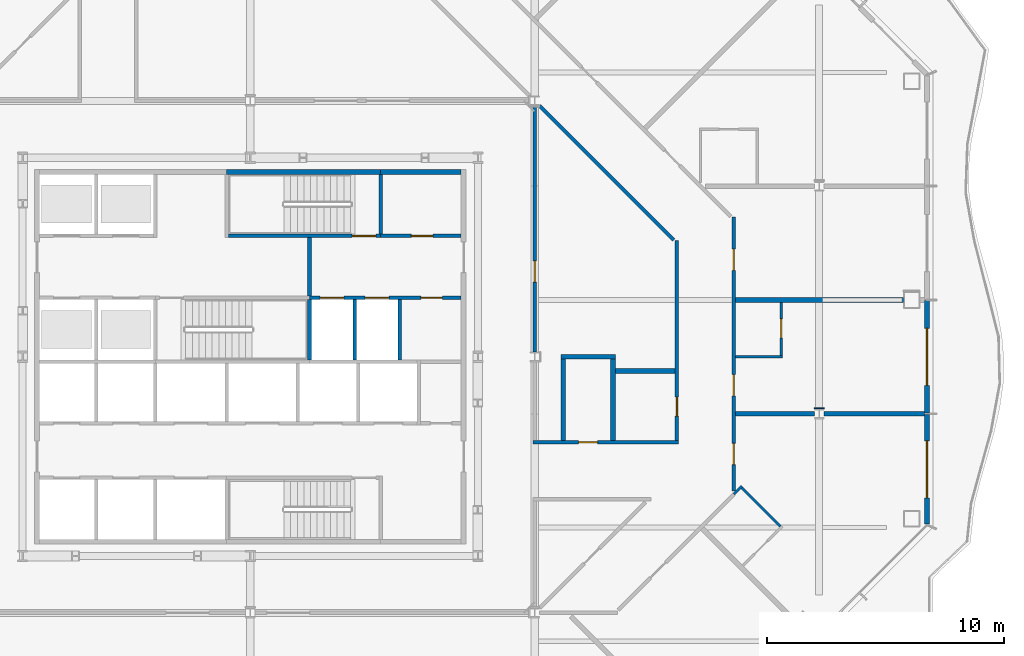
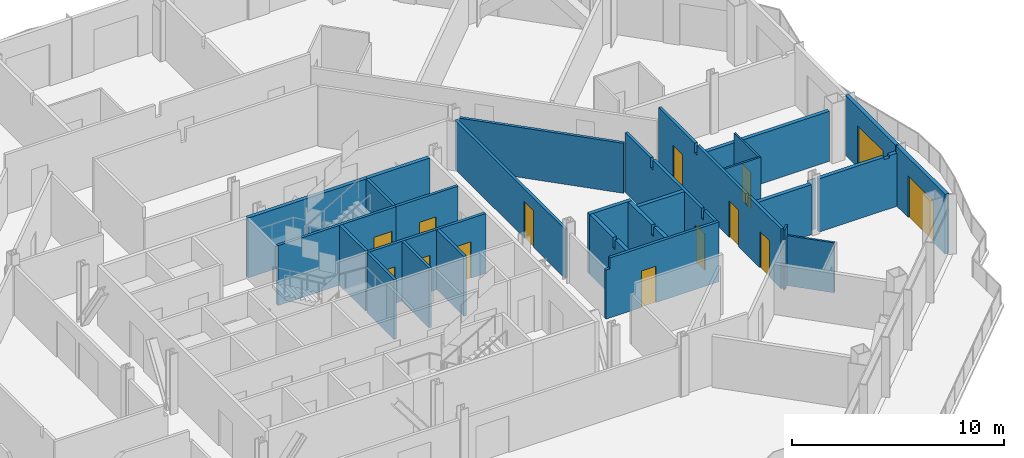
# One storey, part 12 of 24: 29 walls, 14 doors, 14 openings.
"""IFC4 building model written with IfcOpenShell, lengths in metres."""

from ifc_helpers import new_model, si_unit, direction, frame, frame_2d, origin, place, context, subcontext, project, spatial, polyline, rectangle, outline, extrude, material, layer, layer_set, type_object, element, fill, save


model = new_model("IFC4")

# Units and contexts
model_context = context("Model", 3, precision=1e-05, world=origin(), true_north=direction((0.0, 1.0)))
body_context = subcontext(model_context, "Body", "Model", "MODEL_VIEW")
ifc_project = project(units=[si_unit("LENGTHUNIT", "METRE"), si_unit("AREAUNIT", "SQUARE_METRE"), si_unit("VOLUMEUNIT", "CUBIC_METRE"), si_unit("PLANEANGLEUNIT", "RADIAN"), si_unit("MASSUNIT", "GRAM", prefix="KILO")], contexts=[model_context])

# Site, building, storey
site_placement = place(None, origin())
site = spatial("IfcSite", under=ifc_project, at=site_placement, CompositionType="ELEMENT")
building_placement = place(site_placement, origin())
building = spatial("IfcBuilding", under=site, at=building_placement, Name="Cairn Pilgrim Tower", CompositionType="ELEMENT")
storey_placement = place(building_placement, frame((0.0, 0.0, 125.39990234375)))
storey = spatial("IfcBuildingStorey", under=building, at=storey_placement, Name="L30", CompositionType="ELEMENT", Elevation=125.39990234375)

# Wall, opening, door
ifc_material_1 = material(Name="Bronze anodised aluminium insulated sandwich panel with mineral wool fill", Category="aluminium")
ifc_layer_1 = layer(ifc_material_1, 0.199951171875)
ifc_layer_set_1 = layer_set([ifc_layer_1], Name="BRONZE INFILL FRAME WALL 200")
wall_type_1 = type_object("IfcWallType", Name="BRONZE INFILL FRAME WALL 200", PredefinedType="NOTDEFINED", material=ifc_layer_set_1)
wall_1_placement = place(storey_placement, frame((35.75, -4.656494140625, 0.0), z_axis=(0.0, 0.0, 1.0), x_axis=(0.0, 1.0, 0.0)))
wall_1 = element("IfcWall", 1, at=wall_1_placement, inside=storey, type_object=wall_type_1, Name="Bronze infill frame wall IW-E1", PredefinedType="NOTDEFINED", context=body_context, shape_type="SweptSolid", body=[
    extrude(rectangle(XDim=4.62646484375, YDim=0.199951171875, at=frame_2d((2.313232421875, 0.0))), origin(), (0.0, 0.0, 1.0), 3.4501953125),
])
opening_1_placement = place(wall_1_placement, frame((1.1083984375, 0.0, 0.0)))
opening_1 = element("IfcOpeningElement", 2, at=opening_1_placement, cuts=wall_1, Name="Opening 3003B", PredefinedType="OPENING", context=body_context, shape_type="SweptSolid", body=[
    extrude(rectangle(XDim=2.39990234375, YDim=2.39990234375, at=frame_2d((1.199951171875, 1.199951171875))), frame((0.0, 0.10986328125, 0.0), z_axis=(0.0, -1.0, 0.0), x_axis=(1.0, 0.0, 0.0)), (0.0, 0.0, 1.0), 0.219970703125),
])
ifc_material_2 = material(Name="Bronze anodised aluminium frame with tinted low-E glass", Category="aluminium")
door_type_1 = type_object("IfcDoorType", Name="BALCONY SLIDING DOOR 2400x2400", OperationType="DOUBLE_DOOR_SLIDING", PredefinedType="DOOR", material=ifc_material_2)
door_1_placement = place(opening_1_placement, origin())
door_1 = element("IfcDoor", 3, at=door_1_placement, inside=storey, type_object=door_type_1, Name="Balcony sliding door 3003B", OperationType="SINGLE_SWING_LEFT", OverallHeight=2.39990234375, OverallWidth=2.39990234375, PredefinedType="DOOR", context=body_context, shape_type="SweptSolid", body=[
    extrude(rectangle(XDim=2.39990234375, YDim=2.39990234375, at=frame_2d((1.199951171875, 1.199951171875))), frame((0.0, 0.02490234375, 0.0), z_axis=(0.0, -1.0, 0.0), x_axis=(1.0, 0.0, 0.0)), (0.0, 0.0, 1.0), 0.050048828125),
])
fill(opening_1, door_1)

wall_2_placement = place(storey_placement, frame((35.75, 0.030029296875, 0.0), z_axis=(0.0, 0.0, 1.0), x_axis=(0.0, 1.0, 0.0)))
wall_2 = element("IfcWall", 4, at=wall_2_placement, inside=storey, type_object=wall_type_1, Name="Bronze infill frame wall IW-E2", PredefinedType="NOTDEFINED", context=body_context, shape_type="SweptSolid", body=[
    extrude(rectangle(XDim=4.739990234375, YDim=0.199951171875, at=frame_2d((2.3701171875, 0.0))), origin(), (0.0, 0.0, 1.0), 3.4501953125),
])
opening_2_placement = place(wall_2_placement, frame((1.169921875, 0.0, 0.0)))
opening_2 = element("IfcOpeningElement", 5, at=opening_2_placement, cuts=wall_2, Name="Opening 3004B", PredefinedType="OPENING", context=body_context, shape_type="SweptSolid", body=[
    extrude(rectangle(XDim=2.39990234375, YDim=2.39990234375, at=frame_2d((1.199951171875, 1.199951171875))), frame((0.0, 0.10986328125, 0.0), z_axis=(0.0, -1.0, 0.0), x_axis=(1.0, 0.0, 0.0)), (0.0, 0.0, 1.0), 0.219970703125),
])
door_2_placement = place(opening_2_placement, origin())
door_2 = element("IfcDoor", 6, at=door_2_placement, inside=storey, type_object=door_type_1, Name="Balcony sliding door 3004B", OperationType="SINGLE_SWING_LEFT", OverallHeight=2.39990234375, OverallWidth=2.39990234375, PredefinedType="DOOR", context=body_context, shape_type="SweptSolid", body=[
    extrude(rectangle(XDim=2.39990234375, YDim=2.39990234375, at=frame_2d((1.199951171875, 1.199951171875))), frame((0.0, 0.02490234375, 0.0), z_axis=(0.0, -1.0, 0.0), x_axis=(1.0, 0.0, 0.0)), (0.0, 0.0, 1.0), 0.050048828125),
])
fill(opening_2, door_2)

# Wall
ifc_material_3 = material(Name="Concrete C32/40", Category="concrete")
ifc_layer_2 = layer(ifc_material_3, 0.199951171875)
ifc_layer_set_2 = layer_set([ifc_layer_2], Name="CORE OUTER WALL 200 EI 120")
wall_type_2 = type_object("IfcWallType", Name="CORE OUTER WALL 200 EI 120", PredefinedType="SOLIDWALL", material=ifc_layer_set_2)
wall_3_placement = place(storey_placement, frame((12.699951171875, 10.199951171875, 0.0), z_axis=(0.0, 0.0, 1.0), x_axis=(1.0, 0.0, 0.0)))
element("IfcWall", 7, at=wall_3_placement, inside=storey, type_object=wall_type_2, Name="CW:L30:H10-3", PredefinedType="SOLIDWALL", context=body_context, shape_type="SweptSolid", body=[
    extrude(rectangle(XDim=3.400146484375, YDim=0.199951171875, at=frame_2d((1.7001953125, 0.0))), origin(), (0.0, 0.0, 1.0), 3.4501953125),
])

# Wall, openings, doors
ifc_layer_3 = layer(ifc_material_3, 0.14990234375)
ifc_layer_set_3 = layer_set([ifc_layer_3], Name="CORE SHAFT WALL 150 EI 120")
wall_type_3 = type_object("IfcWallType", Name="CORE SHAFT WALL 150 EI 120", PredefinedType="SOLIDWALL", material=ifc_layer_set_3)
wall_4_placement = place(storey_placement, frame((9.699951171875, 4.89990234375, 0.0), z_axis=(0.0, 0.0, 1.0), x_axis=(1.0, 0.0, 0.0)))
wall_4 = element("IfcWall", 8, at=wall_4_placement, inside=storey, type_object=wall_type_3, Name="CW:L30:H07-3", PredefinedType="SOLIDWALL", context=body_context, shape_type="SweptSolid", body=[
    extrude(rectangle(XDim=6.400146484375, YDim=0.14990234375, at=frame_2d((3.2001953125, 0.0))), origin(), (0.0, 0.0, 1.0), 3.4501953125),
])
opening_3_placement = place(wall_4_placement, frame((0.449951171875, 0.0, 0.0)))
opening_3 = element("IfcOpeningElement", 9, at=opening_3_placement, cuts=wall_4, Name="Opening LD-FF1", PredefinedType="OPENING", context=body_context, shape_type="SweptSolid", body=[
    extrude(rectangle(XDim=1.0, YDim=2.10009765625, at=frame_2d((0.5, 1.050048828125))), frame((0.0, 0.0849609375, 0.0), z_axis=(0.0, -1.0, 0.0), x_axis=(1.0, 0.0, 0.0)), (0.0, 0.0, 1.0), 0.169921875),
])
opening_4_placement = place(wall_4_placement, frame((2.35009765625, 0.0, 0.0)))
opening_4 = element("IfcOpeningElement", 10, at=opening_4_placement, cuts=wall_4, Name="Opening LD-FF2", PredefinedType="OPENING", context=body_context, shape_type="SweptSolid", body=[
    extrude(rectangle(XDim=1.0, YDim=2.10009765625, at=frame_2d((0.5, 1.050048828125))), frame((0.0, 0.0849609375, 0.0), z_axis=(0.0, -1.0, 0.0), x_axis=(1.0, 0.0, 0.0)), (0.0, 0.0, 1.0), 0.169921875),
])
opening_5_placement = place(wall_4_placement, frame((4.699951171875, 0.0, 0.0)))
opening_5 = element("IfcOpeningElement", 11, at=opening_5_placement, cuts=wall_4, Name="Opening RD-R3E", PredefinedType="OPENING", context=body_context, shape_type="SweptSolid", body=[
    extrude(rectangle(XDim=0.89990234375, YDim=2.10009765625, at=frame_2d((0.449951171875, 1.050048828125))), frame((0.0, 0.0849609375, 0.0), z_axis=(0.0, -1.0, 0.0), x_axis=(1.0, 0.0, 0.0)), (0.0, 0.0, 1.0), 0.169921875),
])
ifc_material_4 = material(Name="Stainless steel", Category="steel")
door_type_2 = type_object("IfcDoorType", Name="LIFT LANDING DOOR FIRE 1000x2100", OperationType="DOUBLE_DOOR_SLIDING", PredefinedType="DOOR", material=ifc_material_4)
door_3_placement = place(opening_3_placement, origin())
door_3 = element("IfcDoor", 12, at=door_3_placement, inside=storey, type_object=door_type_2, Name="LANDING DOOR FF1", OperationType="DOUBLE_DOOR_SLIDING", OverallHeight=2.10009765625, OverallWidth=1.0, PredefinedType="DOOR", context=body_context, shape_type="SweptSolid", body=[
    extrude(rectangle(XDim=1.0, YDim=2.10009765625, at=frame_2d((0.5, 1.050048828125))), frame((0.0, 0.02490234375, 0.0), z_axis=(0.0, -1.0, 0.0), x_axis=(1.0, 0.0, 0.0)), (0.0, 0.0, 1.0), 0.050048828125),
])
fill(opening_3, door_3)
door_4_placement = place(opening_4_placement, origin())
door_4 = element("IfcDoor", 13, at=door_4_placement, inside=storey, type_object=door_type_2, Name="LANDING DOOR FF2", OperationType="DOUBLE_DOOR_SLIDING", OverallHeight=2.10009765625, OverallWidth=1.0, PredefinedType="DOOR", context=body_context, shape_type="SweptSolid", body=[
    extrude(rectangle(XDim=1.0, YDim=2.10009765625, at=frame_2d((0.5, 1.050048828125))), frame((0.0, 0.02490234375, 0.0), z_axis=(0.0, -1.0, 0.0), x_axis=(1.0, 0.0, 0.0)), (0.0, 0.0, 1.0), 0.050048828125),
])
fill(opening_4, door_4)
ifc_material_5 = material(Name="Painted steel", Category="steel")
door_type_3 = type_object("IfcDoorType", Name="SERVICE ROOM DOOR 900x2100", OperationType="SINGLE_SWING_LEFT", PredefinedType="DOOR", material=ifc_material_5)
door_5_placement = place(opening_5_placement, origin())
door_5 = element("IfcDoor", 14, at=door_5_placement, inside=storey, type_object=door_type_3, Name="RD-R3E", OperationType="SINGLE_SWING_LEFT", OverallHeight=2.10009765625, OverallWidth=0.89990234375, PredefinedType="DOOR", context=body_context, shape_type="SweptSolid", body=[
    extrude(rectangle(XDim=0.89990234375, YDim=2.10009765625, at=frame_2d((0.449951171875, 1.050048828125))), frame((0.0, 0.02490234375, 0.0), z_axis=(0.0, -1.0, 0.0), x_axis=(1.0, 0.0, 0.0)), (0.0, 0.0, 1.0), 0.050048828125),
])
fill(opening_5, door_5)

# Wall, opening, door
wall_5_placement = place(storey_placement, frame((12.699951171875, 7.5, 0.0), z_axis=(0.0, 0.0, 1.0), x_axis=(1.0, 0.0, 0.0)))
wall_5 = element("IfcWall", 15, at=wall_5_placement, inside=storey, type_object=wall_type_3, Name="CW:L30:H09-2", PredefinedType="SOLIDWALL", context=body_context, shape_type="SweptSolid", body=[
    extrude(rectangle(XDim=3.400146484375, YDim=0.14990234375, at=frame_2d((1.7001953125, 0.0))), origin(), (0.0, 0.0, 1.0), 3.4501953125),
])
opening_6_placement = place(wall_5_placement, frame((1.300048828125, 0.0, 0.0)))
opening_6 = element("IfcOpeningElement", 16, at=opening_6_placement, cuts=wall_5, Name="Opening RD-R4E", PredefinedType="OPENING", context=body_context, shape_type="SweptSolid", body=[
    extrude(rectangle(XDim=0.89990234375, YDim=2.10009765625, at=frame_2d((0.449951171875, 1.050048828125))), frame((0.0, 0.0849609375, 0.0), z_axis=(0.0, -1.0, 0.0), x_axis=(1.0, 0.0, 0.0)), (0.0, 0.0, 1.0), 0.169921875),
])
door_6_placement = place(opening_6_placement, origin())
door_6 = element("IfcDoor", 17, at=door_6_placement, inside=storey, type_object=door_type_3, Name="RD-R4E", OperationType="SINGLE_SWING_RIGHT", OverallHeight=2.10009765625, OverallWidth=0.89990234375, PredefinedType="DOOR", context=body_context, shape_type="SweptSolid", body=[
    extrude(rectangle(XDim=0.89990234375, YDim=2.10009765625, at=frame_2d((0.449951171875, 1.050048828125))), frame((0.0, 0.02490234375, 0.0), z_axis=(0.0, -1.0, 0.0), x_axis=(1.0, 0.0, 0.0)), (0.0, 0.0, 1.0), 0.050048828125),
])
fill(opening_6, door_6)

# Walls
wall_6_placement = place(storey_placement, frame((9.699951171875, 4.97509765625, 0.0), z_axis=(0.0, 0.0, 1.0), x_axis=(0.0, 1.0, 0.0)))
element("IfcWall", 18, at=wall_6_placement, inside=storey, type_object=wall_type_3, Name="CW:L30:V25", PredefinedType="SOLIDWALL", context=body_context, shape_type="SweptSolid", body=[
    extrude(rectangle(XDim=2.449951171875, YDim=0.14990234375, at=frame_2d((1.22509765625, 0.0))), origin(), (0.0, 0.0, 1.0), 3.4501953125),
])
for number, where, z_axis, x_axis, name in (
    (19, (11.60009765625, 2.27490234375, 0.0), (0.0, 0.0, 1.0), (0.0, 1.0, 0.0), "CW:L30:V26"),
    (20, (13.5, 2.27490234375, 0.0), (0.0, 0.0, 1.0), (0.0, 1.0, 0.0), "CW:L30:V30"),
):
    element("IfcWall", number, at=place(storey_placement, frame(where, z_axis=z_axis, x_axis=x_axis)), inside=storey, type_object=wall_type_3, Name=name, PredefinedType="SOLIDWALL", context=body_context, shape_type="SweptSolid", body=[
        extrude(rectangle(XDim=2.550048828125, YDim=0.14990234375, at=frame_2d((1.27490234375, 0.0))), origin(), (0.0, 0.0, 1.0), 3.4501953125),
    ])
ifc_material_6 = material(Name="Gypsum partition")
ifc_layer_4 = layer(ifc_material_6, 0.10009765625)
ifc_layer_set_4 = layer_set([ifc_layer_4], Name="PARTITION 100 DRYWALL")
wall_type_4 = type_object("IfcWallType", Name="PARTITION 100 DRYWALL", PredefinedType="PARTITIONING", material=ifc_layer_set_4)
wall_7_placement = place(storey_placement, frame((29.567626953125, -4.74951171875, 0.0), z_axis=(0.0, 0.0, 1.0), x_axis=(-0.707106781187, 0.707106781187, 0.0)))
element("IfcWall", 21, at=wall_7_placement, inside=storey, type_object=wall_type_4, Name="PARTITION W020", PredefinedType="PARTITIONING", context=body_context, shape_type="SweptSolid", body=[
    extrude(rectangle(XDim=2.2998046875, YDim=0.10009765625, at=frame_2d((1.14990234375, 0.0))), origin(), (0.0, 0.0, 1.0), 2.880126953125),
])
wall_8_placement = place(storey_placement, frame((27.60009765625, -3.39404296875, 0.0), z_axis=(0.0, 0.0, 1.0), x_axis=(0.707106781187, 0.707106781187, 0.0)))
element("IfcWall", 22, at=wall_8_placement, inside=storey, type_object=wall_type_4, Name="PARTITION W024", PredefinedType="PARTITIONING", context=body_context, shape_type="SweptSolid", body=[
    extrude(rectangle(XDim=0.482666015625, YDim=0.10009765625, at=frame_2d((0.2412109375, 0.0))), origin(), (0.0, 0.0, 1.0), 3.4501953125),
])
wall_9_placement = place(storey_placement, frame((27.675048828125, 2.39990234375, 0.0), z_axis=(0.0, 0.0, 1.0), x_axis=(1.0, 0.0, 0.0)))
element("IfcWall", 23, at=wall_9_placement, inside=storey, type_object=wall_type_4, Name="PARTITION W042", PredefinedType="PARTITIONING", context=body_context, shape_type="SweptSolid", body=[
    extrude(rectangle(XDim=1.974853515625, YDim=0.10009765625, at=frame_2d((0.9873046875, 0.0))), origin(), (0.0, 0.0, 1.0), 3.4501953125),
])

# Wall, opening, door
wall_10_placement = place(storey_placement, frame((29.60009765625, 2.449951171875, 0.0), z_axis=(0.0, 0.0, 1.0), x_axis=(0.0, 1.0, 0.0)))
wall_10 = element("IfcWall", 24, at=wall_10_placement, inside=storey, type_object=wall_type_4, Name="PARTITION W043", PredefinedType="PARTITIONING", context=body_context, shape_type="SweptSolid", body=[
    extrude(outline(polyline([(0.0, 0.0), (2.25, 0.0), (2.25, 2.880126953125), (2.2451171875, 2.880126953125), (2.242919921875, 3.4501953125), (0.0, 3.4501953125), (0.0, 0.0)])), frame((0.0, 0.050048828125, 0.0), z_axis=(0.0, -1.0, 0.0), x_axis=(1.0, 0.0, 0.0)), (0.0, 0.0, 1.0), 0.10009765625),
])
opening_7_placement = place(wall_10_placement, frame((0.75, 0.0, 0.0)))
opening_7 = element("IfcOpeningElement", 25, at=opening_7_placement, cuts=wall_10, Name="Opening 3004A", PredefinedType="OPENING", context=body_context, shape_type="SweptSolid", body=[
    extrude(rectangle(XDim=0.800048828125, YDim=2.10009765625, at=frame_2d((0.39990234375, 1.050048828125))), frame((0.0, 0.06005859375, 0.0), z_axis=(0.0, -1.0, 0.0), x_axis=(1.0, 0.0, 0.0)), (0.0, 0.0, 1.0), 0.1201171875),
])
ifc_material_7 = material(Name="Timber door leaf", Category="wood")
door_type_4 = type_object("IfcDoorType", Name="WC DOOR 800x2100", OperationType="NOTDEFINED", PredefinedType="DOOR", material=ifc_material_7)
door_7_placement = place(opening_7_placement, frame((0.800048828125, 0.0, 0.0), z_axis=(0.0, 0.0, 1.0), x_axis=(-1.0, 0.0, 0.0)))
door_7 = element("IfcDoor", 26, at=door_7_placement, inside=storey, type_object=door_type_4, Name="DOOR 3004A", OperationType="SINGLE_SWING_LEFT", OverallHeight=2.10009765625, OverallWidth=0.800048828125, PredefinedType="DOOR", context=body_context, shape_type="SweptSolid", body=[
    extrude(rectangle(XDim=0.800048828125, YDim=2.10009765625, at=frame_2d((0.39990234375, 1.050048828125))), frame((0.0, 0.02490234375, 0.0), z_axis=(0.0, -1.0, 0.0), x_axis=(1.0, 0.0, 0.0)), (0.0, 0.0, 1.0), 0.050048828125),
])
fill(opening_7, door_7)

# Wall, openings, doors
ifc_layer_5 = layer(ifc_material_6, 0.14990234375)
ifc_layer_set_5 = layer_set([ifc_layer_5], Name="PARTITION 150 DRYWALL EI 60")
wall_type_5 = type_object("IfcWallType", Name="PARTITION 150 DRYWALL EI 60", PredefinedType="PARTITIONING", material=ifc_layer_set_5)
wall_11_placement = place(storey_placement, frame((27.60009765625, -3.248291015625, 0.0), z_axis=(0.0, 0.0, 1.0), x_axis=(0.0, 1.0, 0.0)))
wall_11 = element("IfcWall", 27, at=wall_11_placement, inside=storey, type_object=wall_type_5, Name="PARTITION W025", PredefinedType="PARTITIONING", context=body_context, shape_type="SweptSolid", body=[
    extrude(outline(polyline([(0.0, 0.0), (11.54833984375, 0.0), (11.54833984375, 3.4501953125), (8.1533203125, 3.4501953125), (8.1513671875, 2.880126953125), (7.943359375, 2.880126953125), (7.94140625, 3.4501953125), (3.353271484375, 3.4501953125), (3.351318359375, 2.880126953125), (3.143310546875, 2.880126953125), (3.141357421875, 3.4501953125), (0.0, 3.4501953125), (0.0, 0.0)])), frame((0.0, 0.074951171875, 0.0), z_axis=(0.0, -1.0, 0.0), x_axis=(1.0, 0.0, 0.0)), (0.0, 0.0, 1.0), 0.14990234375),
])
opening_8_placement = place(wall_11_placement, frame((1.101318359375, 0.0, 0.0)))
opening_8 = element("IfcOpeningElement", 28, at=opening_8_placement, cuts=wall_11, Name="Opening 3003", PredefinedType="OPENING", context=body_context, shape_type="SweptSolid", body=[
    extrude(rectangle(XDim=0.89990234375, YDim=2.10009765625, at=frame_2d((0.449951171875, 1.050048828125))), frame((0.0, 0.0849609375, 0.0), z_axis=(0.0, -1.0, 0.0), x_axis=(1.0, 0.0, 0.0)), (0.0, 0.0, 1.0), 0.169921875),
])
opening_9_placement = place(wall_11_placement, frame((3.998291015625, 0.0, 0.0)))
opening_9 = element("IfcOpeningElement", 29, at=opening_9_placement, cuts=wall_11, Name="Opening 3004", PredefinedType="OPENING", context=body_context, shape_type="SweptSolid", body=[
    extrude(rectangle(XDim=0.89990234375, YDim=2.10009765625, at=frame_2d((0.449951171875, 1.050048828125))), frame((0.0, 0.0849609375, 0.0), z_axis=(0.0, -1.0, 0.0), x_axis=(1.0, 0.0, 0.0)), (0.0, 0.0, 1.0), 0.169921875),
])
opening_10_placement = place(wall_11_placement, frame((9.29541015625, 0.0, 0.0)))
opening_10 = element("IfcOpeningElement", 30, at=opening_10_placement, cuts=wall_11, Name="Opening 3005", PredefinedType="OPENING", context=body_context, shape_type="SweptSolid", body=[
    extrude(rectangle(XDim=0.89990234375, YDim=2.10009765625, at=frame_2d((0.449951171875, 1.050048828125))), frame((0.0, 0.0849609375, 0.0), z_axis=(0.0, -1.0, 0.0), x_axis=(1.0, 0.0, 0.0)), (0.0, 0.0, 1.0), 0.169921875),
])
door_type_5 = type_object("IfcDoorType", Name="ROOM DOOR 900x2100 FD30S", OperationType="NOTDEFINED", PredefinedType="DOOR", material=ifc_material_7)
door_8_placement = place(opening_8_placement, frame((0.89990234375, 0.0, 0.0), z_axis=(0.0, 0.0, 1.0), x_axis=(-1.0, 0.0, 0.0)))
door_8 = element("IfcDoor", 31, at=door_8_placement, inside=storey, type_object=door_type_5, Name="DOOR 3003", OperationType="SINGLE_SWING_LEFT", OverallHeight=2.10009765625, OverallWidth=0.89990234375, PredefinedType="DOOR", context=body_context, shape_type="SweptSolid", body=[
    extrude(rectangle(XDim=0.89990234375, YDim=2.10009765625, at=frame_2d((0.449951171875, 1.050048828125))), frame((0.0, 0.02490234375, 0.0), z_axis=(0.0, -1.0, 0.0), x_axis=(1.0, 0.0, 0.0)), (0.0, 0.0, 1.0), 0.050048828125),
])
fill(opening_8, door_8)
door_9_placement = place(opening_9_placement, frame((0.89990234375, 0.0, 0.0), z_axis=(0.0, 0.0, 1.0), x_axis=(-1.0, 0.0, 0.0)))
door_9 = element("IfcDoor", 32, at=door_9_placement, inside=storey, type_object=door_type_5, Name="DOOR 3004", OperationType="SINGLE_SWING_LEFT", OverallHeight=2.10009765625, OverallWidth=0.89990234375, PredefinedType="DOOR", context=body_context, shape_type="SweptSolid", body=[
    extrude(rectangle(XDim=0.89990234375, YDim=2.10009765625, at=frame_2d((0.449951171875, 1.050048828125))), frame((0.0, 0.02490234375, 0.0), z_axis=(0.0, -1.0, 0.0), x_axis=(1.0, 0.0, 0.0)), (0.0, 0.0, 1.0), 0.050048828125),
])
fill(opening_9, door_9)
door_10_placement = place(opening_10_placement, frame((0.89990234375, 0.0, 0.0), z_axis=(0.0, 0.0, 1.0), x_axis=(-1.0, 0.0, 0.0)))
door_10 = element("IfcDoor", 33, at=door_10_placement, inside=storey, type_object=door_type_5, Name="DOOR 3005", OperationType="SINGLE_SWING_LEFT", OverallHeight=2.10009765625, OverallWidth=0.89990234375, PredefinedType="DOOR", context=body_context, shape_type="SweptSolid", body=[
    extrude(rectangle(XDim=0.89990234375, YDim=2.10009765625, at=frame_2d((0.449951171875, 1.050048828125))), frame((0.0, 0.02490234375, 0.0), z_axis=(0.0, -1.0, 0.0), x_axis=(1.0, 0.0, 0.0)), (0.0, 0.0, 1.0), 0.050048828125),
])
fill(opening_10, door_10)

# Wall, opening, door
wall_12_placement = place(storey_placement, frame((19.125, -1.199951171875, 0.0), z_axis=(0.0, 0.0, 1.0), x_axis=(1.0, 0.0, 0.0)))
wall_12 = element("IfcWall", 34, at=wall_12_placement, inside=storey, type_object=wall_type_5, Name="PARTITION W027", PredefinedType="PARTITIONING", context=body_context, shape_type="SweptSolid", body=[
    extrude(outline(polyline([(0.0, 0.0), (6.14990234375, 0.0), (6.14990234375, 3.4501953125), (0.22509765625, 3.4501953125), (0.222900390625, 2.830078125), (0.0, 2.830078125), (0.0, 0.0)])), frame((0.0, 0.074951171875, 0.0), z_axis=(0.0, -1.0, 0.0), x_axis=(1.0, 0.0, 0.0)), (0.0, 0.0, 1.0), 0.14990234375),
])
opening_11_placement = place(wall_12_placement, frame((1.925048828125, 0.0, 0.0)))
opening_11 = element("IfcOpeningElement", 35, at=opening_11_placement, cuts=wall_12, Name="Opening 3020", PredefinedType="OPENING", context=body_context, shape_type="SweptSolid", body=[
    extrude(rectangle(XDim=0.800048828125, YDim=2.10009765625, at=frame_2d((0.39990234375, 1.050048828125))), frame((0.0, 0.0849609375, 0.0), z_axis=(0.0, -1.0, 0.0), x_axis=(1.0, 0.0, 0.0)), (0.0, 0.0, 1.0), 0.169921875),
])
door_type_6 = type_object("IfcDoorType", Name="WC DOOR 800x2100 FD30S", OperationType="NOTDEFINED", PredefinedType="DOOR", material=ifc_material_7)
door_11_placement = place(opening_11_placement, origin())
door_11 = element("IfcDoor", 36, at=door_11_placement, inside=storey, type_object=door_type_6, Name="DOOR 3020", OperationType="SINGLE_SWING_LEFT", OverallHeight=2.10009765625, OverallWidth=0.800048828125, PredefinedType="DOOR", context=body_context, shape_type="SweptSolid", body=[
    extrude(rectangle(XDim=0.800048828125, YDim=2.10009765625, at=frame_2d((0.39990234375, 1.050048828125))), frame((0.0, 0.02490234375, 0.0), z_axis=(0.0, -1.0, 0.0), x_axis=(1.0, 0.0, 0.0)), (0.0, 0.0, 1.0), 0.050048828125),
])
fill(opening_11, door_11)

wall_13_placement = place(storey_placement, frame((25.199951171875, -1.125, 0.0), z_axis=(0.0, 0.0, 1.0), x_axis=(0.0, 1.0, 0.0)))
wall_13 = element("IfcWall", 37, at=wall_13_placement, inside=storey, type_object=wall_type_5, Name="PARTITION W033", PredefinedType="PARTITIONING", context=body_context, shape_type="SweptSolid", body=[
    extrude(outline(polyline([(0.0, 0.0), (8.43115234375, 0.0), (8.43115234375, 3.4501953125), (6.030029296875, 3.4501953125), (6.028076171875, 2.880126953125), (5.820068359375, 2.880126953125), (5.818115234375, 3.4501953125), (1.22998046875, 3.4501953125), (1.22802734375, 2.880126953125), (1.02001953125, 2.880126953125), (1.01806640625, 3.4501953125), (0.0, 3.4501953125), (0.0, 0.0)])), frame((0.0, 0.074951171875, 0.0), z_axis=(0.0, -1.0, 0.0), x_axis=(1.0, 0.0, 0.0)), (0.0, 0.0, 1.0), 0.14990234375),
])
opening_12_placement = place(wall_13_placement, frame((1.02490234375, 0.0, 0.0)))
opening_12 = element("IfcOpeningElement", 38, at=opening_12_placement, cuts=wall_13, Name="Opening 3019", PredefinedType="OPENING", context=body_context, shape_type="SweptSolid", body=[
    extrude(rectangle(XDim=0.800048828125, YDim=2.10009765625, at=frame_2d((0.39990234375, 1.050048828125))), frame((0.0, 0.0849609375, 0.0), z_axis=(0.0, -1.0, 0.0), x_axis=(1.0, 0.0, 0.0)), (0.0, 0.0, 1.0), 0.169921875),
])
door_12_placement = place(opening_12_placement, origin())
door_12 = element("IfcDoor", 39, at=door_12_placement, inside=storey, type_object=door_type_6, Name="DOOR 3019", OperationType="SINGLE_SWING_RIGHT", OverallHeight=2.10009765625, OverallWidth=0.800048828125, PredefinedType="DOOR", context=body_context, shape_type="SweptSolid", body=[
    extrude(rectangle(XDim=0.800048828125, YDim=2.10009765625, at=frame_2d((0.39990234375, 1.050048828125))), frame((0.0, 0.02490234375, 0.0), z_axis=(0.0, -1.0, 0.0), x_axis=(1.0, 0.0, 0.0)), (0.0, 0.0, 1.0), 0.050048828125),
])
fill(opening_12, door_12)

wall_14_placement = place(storey_placement, frame((19.199951171875, 2.612548828125, 0.0), z_axis=(0.0, 0.0, 1.0), x_axis=(0.0, 1.0, 0.0)))
wall_14 = element("IfcWall", 40, at=wall_14_placement, inside=storey, type_object=wall_type_5, Name="PARTITION W045", PredefinedType="PARTITIONING", context=body_context, shape_type="SweptSolid", body=[
    extrude(rectangle(XDim=10.375, YDim=0.14990234375, at=frame_2d((5.1875, 0.0))), origin(), (0.0, 0.0, 1.0), 2.830078125),
])
opening_13_placement = place(wall_14_placement, frame((2.9375, 0.0, 0.0)))
opening_13 = element("IfcOpeningElement", 41, at=opening_13_placement, cuts=wall_14, Name="Opening 3022", PredefinedType="OPENING", context=body_context, shape_type="SweptSolid", body=[
    extrude(rectangle(XDim=0.89990234375, YDim=2.10009765625, at=frame_2d((0.449951171875, 1.050048828125))), frame((0.0, 0.0849609375, 0.0), z_axis=(0.0, -1.0, 0.0), x_axis=(1.0, 0.0, 0.0)), (0.0, 0.0, 1.0), 0.169921875),
])
door_type_7 = type_object("IfcDoorType", Name="SERVICE DOOR 900x2100 FD30S", OperationType="NOTDEFINED", PredefinedType="DOOR", material=ifc_material_7)
door_13_placement = place(opening_13_placement, frame((0.89990234375, 0.0, 0.0), z_axis=(0.0, 0.0, 1.0), x_axis=(-1.0, 0.0, 0.0)))
door_13 = element("IfcDoor", 42, at=door_13_placement, inside=storey, type_object=door_type_7, Name="DOOR 3022", OperationType="SINGLE_SWING_LEFT", OverallHeight=2.10009765625, OverallWidth=0.89990234375, PredefinedType="DOOR", context=body_context, shape_type="SweptSolid", body=[
    extrude(rectangle(XDim=0.89990234375, YDim=2.10009765625, at=frame_2d((0.449951171875, 1.050048828125))), frame((0.0, 0.02490234375, 0.0), z_axis=(0.0, -1.0, 0.0), x_axis=(1.0, 0.0, 0.0)), (0.0, 0.0, 1.0), 0.050048828125),
])
fill(opening_13, door_13)

# Walls
wall_15_placement = place(storey_placement, frame((25.072021484375, 7.327880859375, 0.0), z_axis=(0.0, 0.0, 1.0), x_axis=(-0.707106781187, 0.707106781187, 0.0)))
element("IfcWall", 43, at=wall_15_placement, inside=storey, type_object=wall_type_5, Name="PARTITION W051", PredefinedType="PARTITIONING", context=body_context, shape_type="SweptSolid", body=[
    extrude(rectangle(XDim=8.009521484375, YDim=0.14990234375, at=frame_2d((4.0048828125, 0.0))), origin(), (0.0, 0.0, 1.0), 2.880126953125),
])
ifc_layer_6 = layer(ifc_material_6, 0.050048828125)
ifc_layer_set_6 = layer_set([ifc_layer_6], Name="PARTITION 50 DRYWALL EI 60")
wall_type_6 = type_object("IfcWallType", Name="PARTITION 50 DRYWALL EI 60", PredefinedType="PARTITIONING", material=ifc_layer_set_6)
wall_16_placement = place(storey_placement, frame((30.99560546875, 0.237548828125, 0.0), z_axis=(0.0, 0.0, 1.0), x_axis=(1.0, 0.0, 0.0)))
element("IfcWall", 44, at=wall_16_placement, inside=storey, type_object=wall_type_6, Name="COLUMN CASING WC20", PredefinedType="PARTITIONING", context=body_context, shape_type="SweptSolid", body=[
    extrude(rectangle(XDim=0.408935546875, YDim=0.050048828125, at=frame_2d((0.20458984375, 0.0))), origin(), (0.0, 0.0, 1.0), 2.93017578125),
])
ifc_layer_7 = layer(ifc_material_6, 0.199951171875)
ifc_layer_set_7 = layer_set([ifc_layer_7], Name="SHAFT WALL 200 GYPSUM EI 60")
wall_type_7 = type_object("IfcWallType", Name="SHAFT WALL 200 GYPSUM EI 60", PredefinedType="PARTITIONING", material=ifc_layer_set_7)
for number, where, z_axis, x_axis, name in (
    (45, (20.39990234375, -1.125, 0.0), (0.0, 0.0, 1.0), (0.0, 1.0, 0.0), "PARTITION W031"),
    (46, (22.5, -1.125, 0.0), (0.0, 0.0, 1.0), (0.0, 1.0, 0.0), "PARTITION W032"),
):
    element("IfcWall", number, at=place(storey_placement, frame(where, z_axis=z_axis, x_axis=x_axis)), inside=storey, type_object=wall_type_7, Name=name, PredefinedType="PARTITIONING", context=body_context, shape_type="SweptSolid", body=[
        extrude(outline(polyline([(0.0, 0.0), (3.425048828125, 0.0), (3.425048828125, 3.4501953125), (1.22998046875, 3.4501953125), (1.22802734375, 2.880126953125), (1.02001953125, 2.880126953125), (1.01806640625, 3.4501953125), (0.0, 3.4501953125), (0.0, 0.0)])), frame((0.0, 0.10009765625, 0.0), z_axis=(0.0, -1.0, 0.0), x_axis=(1.0, 0.0, 0.0)), (0.0, 0.0, 1.0), 0.199951171875),
    ])
wall_17_placement = place(storey_placement, frame((27.675048828125, 0.0, 0.0), z_axis=(0.0, 0.0, 1.0), x_axis=(1.0, 0.0, 0.0)))
element("IfcWall", 47, at=wall_17_placement, inside=storey, type_object=wall_type_7, Name="PARTITION W036", PredefinedType="PARTITIONING", context=body_context, shape_type="SweptSolid", body=[
    extrude(rectangle(XDim=3.320556640625, YDim=0.199951171875, at=frame_2d((1.66015625, 0.0))), origin(), (0.0, 0.0, 1.0), 2.880126953125),
])
wall_18_placement = place(storey_placement, frame((31.404541015625, 0.0, 0.0), z_axis=(0.0, 0.0, 1.0), x_axis=(1.0, 0.0, 0.0)))
element("IfcWall", 48, at=wall_18_placement, inside=storey, type_object=wall_type_7, Name="PARTITION W037", PredefinedType="PARTITIONING", context=body_context, shape_type="SweptSolid", body=[
    extrude(outline(polyline([(0.0, 0.0), (4.245361328125, 0.0), (4.24560546875, 3.070068359375), (3.845458984375, 3.070068359375), (3.843505859375, 2.93017578125), (3.54541015625, 2.93017578125), (3.54345703125, 3.070068359375), (0.0, 3.070068359375), (0.0, 0.0)])), frame((0.0, 0.10009765625, 0.0), z_axis=(0.0, -1.0, 0.0), x_axis=(1.0, 0.0, 0.0)), (0.0, 0.0, 1.0), 0.199951171875),
])
wall_19_placement = place(storey_placement, frame((22.60009765625, 1.800048828125, 0.0), z_axis=(0.0, 0.0, 1.0), x_axis=(1.0, 0.0, 0.0)))
element("IfcWall", 49, at=wall_19_placement, inside=storey, type_object=wall_type_7, Name="PARTITION W038", PredefinedType="PARTITIONING", context=body_context, shape_type="SweptSolid", body=[
    extrude(rectangle(XDim=2.52490234375, YDim=0.199951171875, at=frame_2d((1.262451171875, 0.0))), origin(), (0.0, 0.0, 1.0), 3.4501953125),
])
wall_20_placement = place(storey_placement, frame((20.300048828125, 2.39990234375, 0.0), z_axis=(0.0, 0.0, 1.0), x_axis=(1.0, 0.0, 0.0)))
element("IfcWall", 50, at=wall_20_placement, inside=storey, type_object=wall_type_7, Name="PARTITION W041", PredefinedType="PARTITIONING", context=body_context, shape_type="SweptSolid", body=[
    extrude(rectangle(XDim=2.300048828125, YDim=0.199951171875, at=frame_2d((1.14990234375, 0.0))), origin(), (0.0, 0.0, 1.0), 3.4501953125),
])
wall_21_placement = place(storey_placement, frame((27.675048828125, 4.800048828125, 0.0), z_axis=(0.0, 0.0, 1.0), x_axis=(1.0, 0.0, 0.0)))
element("IfcWall", 51, at=wall_21_placement, inside=storey, type_object=wall_type_7, Name="PARTITION W048", PredefinedType="PARTITIONING", context=body_context, shape_type="SweptSolid", body=[
    extrude(rectangle(XDim=7.074951171875, YDim=0.199951171875, at=frame_2d((3.53759765625, 0.0))), origin(), (0.0, 0.0, 1.0), 2.880126953125),
])

# Wall, opening, door
ifc_material_8 = material(Name="Concrete C35/45", Category="concrete")
ifc_layer_8 = layer(ifc_material_8, 0.14990234375)
ifc_layer_set_8 = layer_set([ifc_layer_8], Name="STAIR SHAFT WALL 150 EI 120")
wall_type_8 = type_object("IfcWallType", Name="STAIR SHAFT WALL 150 EI 120", PredefinedType="SOLIDWALL", material=ifc_layer_set_8)
wall_22_placement = place(storey_placement, frame((6.27490234375, 7.5, 0.0), z_axis=(0.0, 0.0, 1.0), x_axis=(1.0, 0.0, 0.0)))
wall_22 = element("IfcWall", 52, at=wall_22_placement, inside=storey, type_object=wall_type_8, Name="CW:L30:H09-1", PredefinedType="SOLIDWALL", context=body_context, shape_type="SweptSolid", body=[
    extrude(rectangle(XDim=6.425048828125, YDim=0.14990234375, at=frame_2d((3.21240234375, 0.0))), origin(), (0.0, 0.0, 1.0), 3.4501953125),
])
opening_14_placement = place(wall_22_placement, frame((5.22509765625, 0.0, 0.0)))
opening_14 = element("IfcOpeningElement", 53, at=opening_14_placement, cuts=wall_22, Name="Opening SD-C", PredefinedType="OPENING", context=body_context, shape_type="SweptSolid", body=[
    extrude(rectangle(XDim=1.0, YDim=2.10009765625, at=frame_2d((0.5, 1.050048828125))), frame((0.0, 0.0849609375, 0.0), z_axis=(0.0, -1.0, 0.0), x_axis=(1.0, 0.0, 0.0)), (0.0, 0.0, 1.0), 0.169921875),
])
door_type_8 = type_object("IfcDoorType", Name="STAIR DOOR FD60S 1000x2100", OperationType="SINGLE_SWING_LEFT", PredefinedType="DOOR", material=ifc_material_5)
door_14_placement = place(opening_14_placement, origin())
door_14 = element("IfcDoor", 54, at=door_14_placement, inside=storey, type_object=door_type_8, Name="SD-C", OperationType="SINGLE_SWING_LEFT", OverallHeight=2.10009765625, OverallWidth=1.0, PredefinedType="DOOR", context=body_context, shape_type="SweptSolid", body=[
    extrude(rectangle(XDim=1.0, YDim=2.10009765625, at=frame_2d((0.5, 1.050048828125))), frame((0.0, 0.02490234375, 0.0), z_axis=(0.0, -1.0, 0.0), x_axis=(1.0, 0.0, 0.0)), (0.0, 0.0, 1.0), 0.050048828125),
])
fill(opening_14, door_14)

# Walls
wall_23_placement = place(storey_placement, frame((9.699951171875, 2.27490234375, 0.0), z_axis=(0.0, 0.0, 1.0), x_axis=(0.0, 1.0, 0.0)))
element("IfcWall", 55, at=wall_23_placement, inside=storey, type_object=wall_type_8, Name="CW:L30:V24", PredefinedType="SOLIDWALL", context=body_context, shape_type="SweptSolid", body=[
    extrude(rectangle(XDim=2.550048828125, YDim=0.14990234375, at=frame_2d((1.27490234375, 0.0))), origin(), (0.0, 0.0, 1.0), 3.4501953125),
])
wall_24_placement = place(storey_placement, frame((12.699951171875, 7.574951171875, 0.0), z_axis=(0.0, 0.0, 1.0), x_axis=(0.0, 1.0, 0.0)))
element("IfcWall", 56, at=wall_24_placement, inside=storey, type_object=wall_type_8, Name="CW:L30:V29", PredefinedType="SOLIDWALL", context=body_context, shape_type="SweptSolid", body=[
    extrude(rectangle(XDim=2.525146484375, YDim=0.14990234375, at=frame_2d((1.2626953125, 0.0))), origin(), (0.0, 0.0, 1.0), 3.4501953125),
])
ifc_layer_9 = layer(ifc_material_8, 0.199951171875)
ifc_layer_set_9 = layer_set([ifc_layer_9], Name="STAIR SHAFT WALL 200 EI 120")
wall_type_9 = type_object("IfcWallType", Name="STAIR SHAFT WALL 200 EI 120", PredefinedType="SOLIDWALL", material=ifc_layer_set_9)
wall_25_placement = place(storey_placement, frame((6.199951171875, 10.199951171875, 0.0), z_axis=(0.0, 0.0, 1.0), x_axis=(1.0, 0.0, 0.0)))
element("IfcWall", 57, at=wall_25_placement, inside=storey, type_object=wall_type_9, Name="CW:L30:H10-2", PredefinedType="SOLIDWALL", context=body_context, shape_type="SweptSolid", body=[
    extrude(rectangle(XDim=6.5, YDim=0.199951171875, at=frame_2d((3.25, 0.0))), origin(), (0.0, 0.0, 1.0), 3.4501953125),
])

save(model, "model.ifc")
